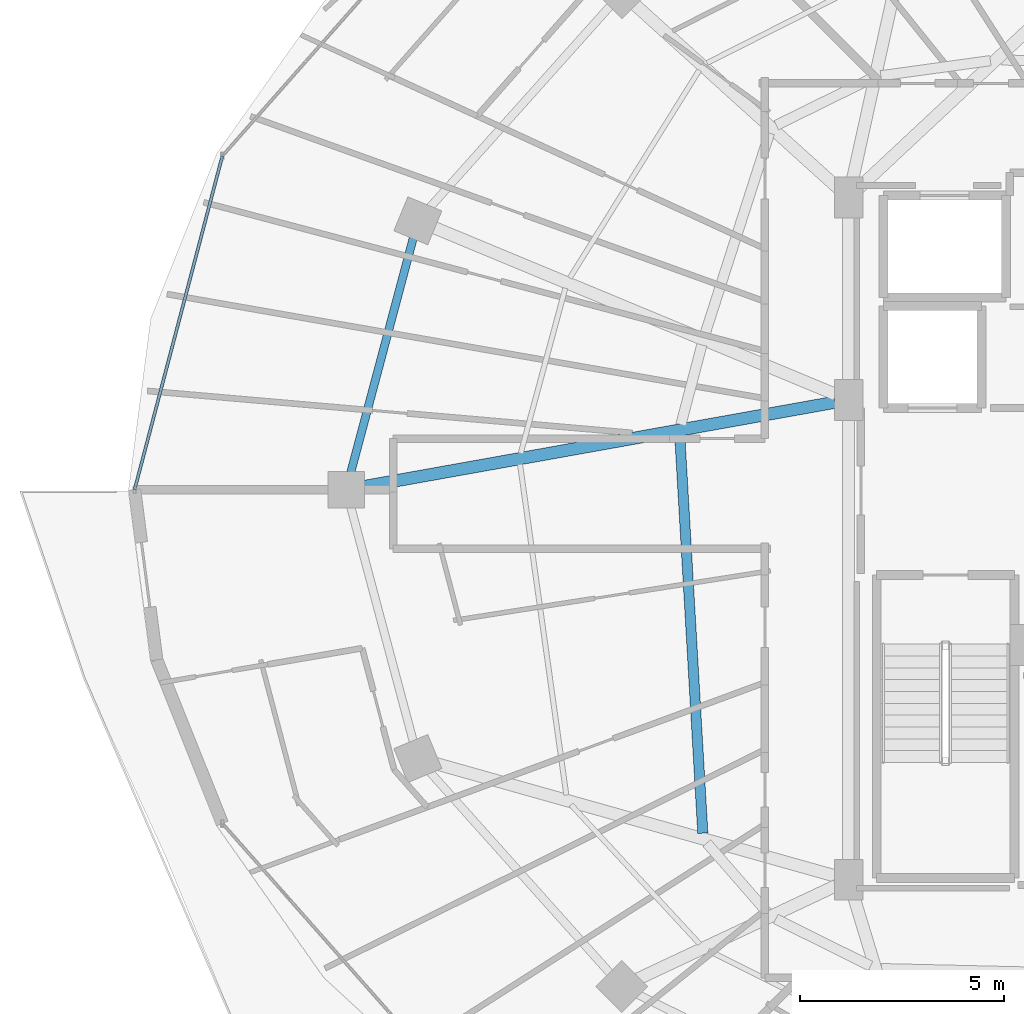
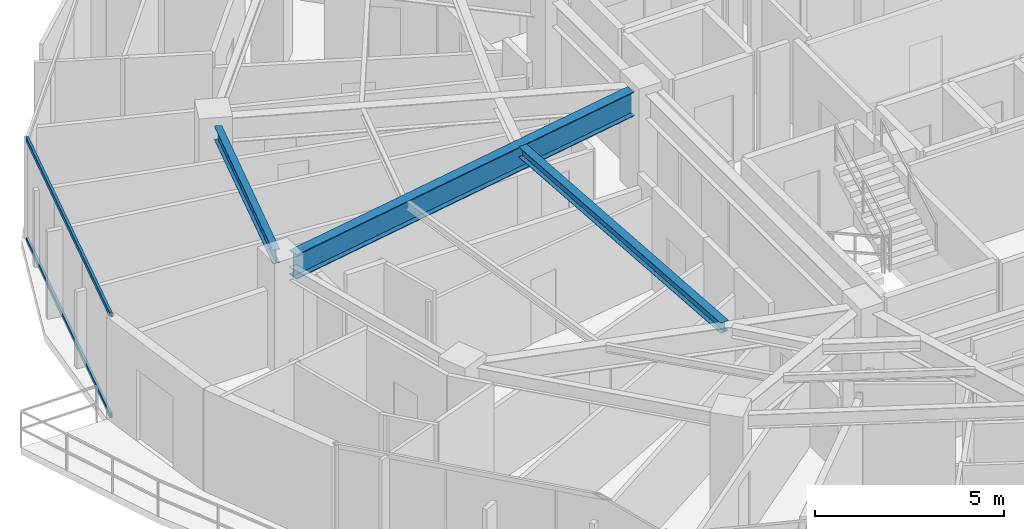
# One storey, part 8 of 32: 3 beams, 2 members, 1 element without a shape of its own.
"""IFC4 building model written with IfcOpenShell, lengths in metres."""

import ifcopenshell
import ifcopenshell.guid

model = None  # the IFC model being written
_history = None  # IfcOwnerHistory: only IFC2X3 demands one
_inside = {}  # id of a spatial element -> (the spatial element, [elements in it])
_under = {}  # id of a project, library or spatial element -> (it, [spatial elements below it])
_declared = {}  # id of a project -> (the project, [libraries it declares])
_typed = {}  # id of a type object -> (the type object, [elements of that type])
_made_of = {}  # id of a material, layer set ... -> (it, [elements and type objects made of it])


def new_model(schema):
    """Start an empty IFC model of exactly this schema.

    Asked for "IFC4X3", IfcOpenShell would pick the latest addendum, in which some entities
    have other attributes; the version numbers below select the first issue.
    IFC2X3 requires an IfcOwnerHistory on every rooted entity: one is made here for all.
    """
    global model, _history
    if schema == "IFC4X3":
        model = ifcopenshell.file(schema_version=(4, 3, 0, 0))
    else:
        model = ifcopenshell.file(schema=schema)
    _inside.clear()
    _under.clear()
    _declared.clear()
    _typed.clear()
    _made_of.clear()
    _history = None
    if model.schema == "IFC2X3":
        org = make("IfcOrganization", Name="unknown")
        user = make(
            "IfcPersonAndOrganization",
            ThePerson=make("IfcPerson", FamilyName="unknown"),
            TheOrganization=org,
        )
        app = make(
            "IfcApplication",
            ApplicationDeveloper=org,
            Version="unknown",
            ApplicationFullName="unknown",
            ApplicationIdentifier="unknown",
        )
        _history = make(
            "IfcOwnerHistory",
            OwningUser=user,
            OwningApplication=app,
            ChangeAction="ADDED",
            CreationDate=0,
        )
    return model


def make(cls, **values):
    """One entity of the class cls with the attributes given. An attribute that is None is left unset."""
    return model.create_entity(
        cls, **{name: value for name, value in values.items() if value is not None}
    )


def rooted(cls, **values):
    """An entity with a GlobalId (a new one), such as an element, a storey or a relation."""
    return make(cls, GlobalId=ifcopenshell.guid.new(), OwnerHistory=_history, **values)


def si_unit(unit_type, name, prefix=None):
    """IfcSIUnit, for example si_unit("LENGTHUNIT", "METRE", prefix="MILLI")."""
    return make("IfcSIUnit", UnitType=unit_type, Prefix=prefix, Name=name)


def assignment(units):
    """IfcUnitAssignment: the units of a project."""
    return None if units is None else make("IfcUnitAssignment", Units=units)


def point(xyz):
    """IfcCartesianPoint."""
    return None if xyz is None else make("IfcCartesianPoint", Coordinates=xyz)


def direction(xyz):
    """IfcDirection."""
    return None if xyz is None else make("IfcDirection", DirectionRatios=xyz)


def frame(location, z_axis=None, x_axis=None):
    """IfcAxis2Placement3D, a coordinate frame: its origin and axes. An axis left out is left unset."""
    return make(
        "IfcAxis2Placement3D",
        Location=point(location),
        Axis=direction(z_axis),
        RefDirection=direction(x_axis),
    )


def frame_2d(location, x_axis=None):
    """IfcAxis2Placement2D, a coordinate frame in the plane: its origin and x axis."""
    return make(
        "IfcAxis2Placement2D", Location=point(location), RefDirection=direction(x_axis)
    )


def origin():
    """The frame at (0, 0, 0) with its axes left unset."""
    return frame((0.0, 0.0, 0.0))


def origin_2d():
    """The frame at (0, 0) in the plane with its x axis left unset."""
    return frame_2d((0.0, 0.0))


def place(relative_to, where):
    """IfcLocalPlacement: puts the frame where relative to a parent placement (None: the world)."""
    return make(
        "IfcLocalPlacement", PlacementRelTo=relative_to, RelativePlacement=where
    )


def context(
    kind, dimensions, precision=None, world=None, true_north=None, identifier=None
):
    """IfcGeometricRepresentationContext, for example the 3D "Model" context."""
    return make(
        "IfcGeometricRepresentationContext",
        ContextIdentifier=identifier,
        ContextType=kind,
        CoordinateSpaceDimension=dimensions,
        Precision=precision,
        WorldCoordinateSystem=world,
        TrueNorth=true_north,
    )


def subcontext(parent, identifier, kind, view, scale=None):
    """IfcGeometricRepresentationSubContext, for example "Body" below "Model"."""
    return make(
        "IfcGeometricRepresentationSubContext",
        ContextIdentifier=identifier,
        ContextType=kind,
        ParentContext=parent,
        TargetScale=scale,
        TargetView=view,
    )


def project(units=None, contexts=None):
    """IfcProject with its units and contexts."""
    return rooted(
        "IfcProject",
        Name="project",
        RepresentationContexts=contexts,
        UnitsInContext=assignment(units),
    )


def spatial(cls, under=None, at=None, **own):
    """A site, building, storey or space (cls), placed at a placement, below another one or the project."""
    s = rooted(cls, ObjectPlacement=at, **own)
    if under is not None:
        _under.setdefault(under.id(), (under, []))[1].append(s)
    return s


def profile(cls, at=None, kind="AREA", **sizes):
    """A parametric profile (cls). Its sizes go by their IFC names, for example OverallWidth=200.0."""
    return make(cls, ProfileType=kind, Position=at, **sizes)


def hollow_rectangle(**sizes):
    """IfcRectangleHollowProfileDef."""
    return profile("IfcRectangleHollowProfileDef", **sizes)


def i_section(**sizes):
    """IfcIShapeProfileDef."""
    return profile("IfcIShapeProfileDef", **sizes)


def extrude(swept, where, along, depth):
    """IfcExtrudedAreaSolid: the profile swept, set in the frame where, extruded along a direction by depth."""
    return make(
        "IfcExtrudedAreaSolid",
        SweptArea=swept,
        Position=where,
        ExtrudedDirection=direction(along),
        Depth=depth,
    )


def shape(context_of_items, identifier, shape_type, items):
    """IfcShapeRepresentation: the items that make up one representation, for example the "Body"."""
    return make(
        "IfcShapeRepresentation",
        ContextOfItems=context_of_items,
        RepresentationIdentifier=identifier,
        RepresentationType=shape_type,
        Items=items,
    )


def material(Name=None, Category=None):
    """IfcMaterial."""
    return make("IfcMaterial", Name=Name, Category=Category)


def material_profile(
    of_material, cross_section, Name=None, Category=None, Priority=None
):
    """IfcMaterialProfile: a cross section and its material."""
    return make(
        "IfcMaterialProfile",
        Name=Name,
        Material=of_material,
        Profile=cross_section,
        Priority=Priority,
        Category=Category,
    )


def profile_set(profiles, Name=None, composite=None):
    """IfcMaterialProfileSet."""
    return make(
        "IfcMaterialProfileSet",
        Name=Name,
        MaterialProfiles=profiles,
        CompositeProfile=composite,
    )


def made_of(thing, what):
    """Note that an element or type object is made of a material, layer set ...; save() writes the relation."""
    if what is not None:
        _made_of.setdefault(what.id(), (what, []))[1].append(thing)
    return thing


def type_object(cls, material=None, **own):
    """A type object (cls), such as IfcWallType, which elements share."""
    return made_of(rooted(cls, **own), material)


def element(
    cls,
    number,
    at=None,
    inside=None,
    cuts=None,
    type_object=None,
    material=None,
    context=None,
    identifier="Body",
    shape_type=None,
    held_by="IfcProductDefinitionShape",
    body=None,
    shapes=None,
    **own,
):
    """One element of the class cls, such as IfcWall. Its Tag is "e" and its number.

    at: its placement. inside: the storey or other place that contains it. cuts: it is an
    opening in that element (IfcRelVoidsElement). A single representation is given by context,
    identifier, shape_type and body (its items); several are given by shapes. held_by: the class
    of the entity that holds the representations. save() writes the other relations.
    """
    e = rooted(cls, Tag="e%d" % number, ObjectPlacement=at, **own)
    if body is not None:
        shapes = [shape(context, identifier, shape_type, body)]
    if shapes is not None:
        e.Representation = make(held_by, Representations=shapes)
    if inside is not None:
        _inside.setdefault(inside.id(), (inside, []))[1].append(e)
    if cuts is not None:
        rooted(
            "IfcRelVoidsElement", RelatingBuildingElement=cuts, RelatedOpeningElement=e
        )
    if type_object is not None:
        _typed.setdefault(type_object.id(), (type_object, []))[1].append(e)
    return made_of(e, material)


def aggregate(whole, parts):
    """IfcRelAggregates: a whole, such as a stair, and the parts it consists of."""
    return rooted("IfcRelAggregates", RelatingObject=whole, RelatedObjects=parts)


def save(model, path):
    """Write the relations noted so far, then the file.

    IfcRelAggregates (storeys below a building ...), IfcRelContainedInSpatialStructure (elements
    in a storey), IfcRelDefinesByType, IfcRelAssociatesMaterial and IfcRelDeclares: one each for
    every whole, place, type object, material and project.
    """
    for whole, parts in _under.values():
        aggregate(whole, parts)
    for where, things in _inside.values():
        rooted(
            "IfcRelContainedInSpatialStructure",
            RelatedElements=things,
            RelatingStructure=where,
        )
    for kind, things in _typed.values():
        rooted("IfcRelDefinesByType", RelatedObjects=things, RelatingType=kind)
    for what, things in _made_of.values():
        rooted("IfcRelAssociatesMaterial", RelatedObjects=things, RelatingMaterial=what)
    for by, libraries in _declared.values():
        rooted("IfcRelDeclares", RelatingContext=by, RelatedDefinitions=libraries)
    model.write(path)


model = new_model("IFC4")

# Units and contexts
model_context = context("Model", 3, precision=1e-05, world=origin(), true_north=direction((0.0, 1.0)))
body_context = subcontext(model_context, "Body", "Model", "MODEL_VIEW")
ifc_project = project(units=[si_unit("LENGTHUNIT", "METRE"), si_unit("AREAUNIT", "SQUARE_METRE"), si_unit("VOLUMEUNIT", "CUBIC_METRE"), si_unit("PLANEANGLEUNIT", "RADIAN"), si_unit("MASSUNIT", "GRAM", prefix="KILO")], contexts=[model_context])

# Site, building, storey
site_placement = place(None, origin())
site = spatial("IfcSite", under=ifc_project, at=site_placement, CompositionType="ELEMENT")
building_placement = place(site_placement, origin())
building = spatial("IfcBuilding", under=site, at=building_placement, Name="Vorneva Point Tower", CompositionType="ELEMENT")
storey_placement = place(building_placement, frame((0.0, 0.0, 207.199951171875)))
storey = spatial("IfcBuildingStorey", under=building, at=storey_placement, Name="L56", CompositionType="ELEMENT", Elevation=207.199951171875)

# Beams
ifc_material_1 = material(Name="Steel S355", Category="steel")
ifc_material_profile_1 = material_profile(ifc_material_1, i_section(OverallWidth=0.300048828125, OverallDepth=0.7880859375, WebThickness=0.014404296875, FlangeThickness=0.02197265625, at=origin_2d()), Name="80Sh1")
ifc_profile_set_1 = profile_set([ifc_material_profile_1], Name="Steel S355")
beam_type_1 = type_object("IfcBeamType", Name="BM-GRD-80Sh1", PredefinedType="USERDEFINED", material=ifc_profile_set_1)
beam_1_placement = place(storey_placement, frame((15.381103515625, 26.0771484375, 2.89599609375), z_axis=(0.984378602255, 0.176064668298, 0.0), x_axis=(-0.176064668298, 0.984378602255, 0.0)))
element("IfcBeam", 1, at=beam_1_placement, inside=storey, type_object=beam_type_1, Name="L56 Radial Primary Girder 09", ObjectType="GIRDER", PredefinedType="USERDEFINED", context=body_context, shape_type="SweptSolid", body=[
    extrude(i_section(OverallWidth=0.300048828125, OverallDepth=0.7880859375, WebThickness=0.014404296875, FlangeThickness=0.02197265625, at=origin_2d()), origin(), (0.0, 0.0, 1.0), 11.71728515625),
])
ifc_material_profile_2 = material_profile(ifc_material_1, i_section(OverallWidth=0.2490234375, OverallDepth=0.333984375, WebThickness=0.008056640625, FlangeThickness=0.010986328125, at=origin_2d()), Name="35Sh1")
ifc_profile_set_2 = profile_set([ifc_material_profile_2], Name="Steel S355")
beam_type_2 = type_object("IfcBeamType", Name="BM-SEC-35Sh1", PredefinedType="BEAM", material=ifc_profile_set_2)
beam_2_placement = place(storey_placement, frame((23.116943359375, 27.321533203125, 3.123046875), z_axis=(0.057952710054, -0.998319329372, 0.0), x_axis=(0.998319329372, 0.057952710054, 0.0)))
element("IfcBeam", 2, at=beam_2_placement, inside=storey, type_object=beam_type_2, Name="L56 Secondary Floor Beam 2.09", PredefinedType="BEAM", context=body_context, shape_type="SweptSolid", body=[
    extrude(i_section(OverallWidth=0.2490234375, OverallDepth=0.333984375, WebThickness=0.008056640625, FlangeThickness=0.010986328125, at=origin_2d()), origin(), (0.0, 0.0, 1.0), 9.748291015625),
])
ifc_material_profile_3 = material_profile(ifc_material_1, i_section(OverallWidth=0.198974609375, OverallDepth=0.446044921875, WebThickness=0.008056640625, FlangeThickness=0.011962890625, at=origin_2d()), Name="45B1")
ifc_profile_set_3 = profile_set([ifc_material_profile_3], Name="Steel S355")
beam_type_3 = type_object("IfcBeamType", Name="BM-SPN-45B1", PredefinedType="SPANDREL", material=ifc_profile_set_3)
beam_3_placement = place(storey_placement, frame((16.592529296875, 32.161865234375, 3.067138671875), z_axis=(-0.257578258003, -0.966257440336, 0.0), x_axis=(0.966257440336, -0.257578258003, 0.0)))
element("IfcBeam", 3, at=beam_3_placement, inside=storey, type_object=beam_type_3, Name="L56 Perimeter Spandrel Ring Beam 08", PredefinedType="SPANDREL", context=body_context, shape_type="SweptSolid", body=[
    extrude(i_section(OverallWidth=0.198974609375, OverallDepth=0.446044921875, WebThickness=0.008056640625, FlangeThickness=0.011962890625, at=origin_2d()), origin(), (0.0, 0.0, 1.0), 5.94189453125),
])

# Curtain wall, members
ifc_material_2 = material(Name="Pale anodised aluminium", Category="aluminium")
curtain_wall_type = type_object("IfcCurtainWallType", Name="CW-RES-SYS", PredefinedType="NOTDEFINED", material=ifc_material_2)
curtain_wall_placement = place(storey_placement, origin())
curtain_wall = element("IfcCurtainWall", 4, at=curtain_wall_placement, inside=storey, type_object=curtain_wall_type, Name="L56 Unitised Curtain Wall CW-L56-R02", PredefinedType="NOTDEFINED")
ifc_material_profile_4 = material_profile(ifc_material_2, hollow_rectangle(XDim=0.074951171875, YDim=0.14990234375, WallThickness=0.00390625, at=origin_2d()), Name="AL-TRN 150x75x4")
ifc_profile_set_4 = profile_set([ifc_material_profile_4], Name="Pale anodised aluminium")
member_type = type_object("IfcMemberType", Name="CW-TRN-150", PredefinedType="USERDEFINED", material=ifc_profile_set_4)
member_1_placement = place(storey_placement, frame((11.9189453125, 34.17041015625, 0.02001953125), z_axis=(-0.254362431281, -0.967108966742, 0.0), x_axis=(0.967108966742, -0.254362431281, 0.0)))
member_1 = element("IfcMember", 5, at=member_1_placement, type_object=member_type, Name="CW-L56-R02 Transom 02.1", ObjectType="TRANSOM", PredefinedType="USERDEFINED", context=body_context, shape_type="SweptSolid", body=[
    extrude(hollow_rectangle(XDim=0.074951171875, YDim=0.14990234375, WallThickness=0.00390625, at=origin_2d()), origin(), (0.0, 0.0, 1.0), 8.4482421875),
])
member_2_placement = place(storey_placement, frame((11.9189453125, 34.17041015625, 3.27001953125), z_axis=(-0.254362431281, -0.967108966742, 0.0), x_axis=(0.967108966742, -0.254362431281, 0.0)))
member_2 = element("IfcMember", 6, at=member_2_placement, type_object=member_type, Name="CW-L56-R02 Transom 02.2", ObjectType="TRANSOM", PredefinedType="USERDEFINED", context=body_context, shape_type="SweptSolid", body=[
    extrude(hollow_rectangle(XDim=0.074951171875, YDim=0.14990234375, WallThickness=0.00390625, at=origin_2d()), origin(), (0.0, 0.0, 1.0), 8.4482421875),
])
aggregate(curtain_wall, [member_1, member_2])

save(model, "model.ifc")
